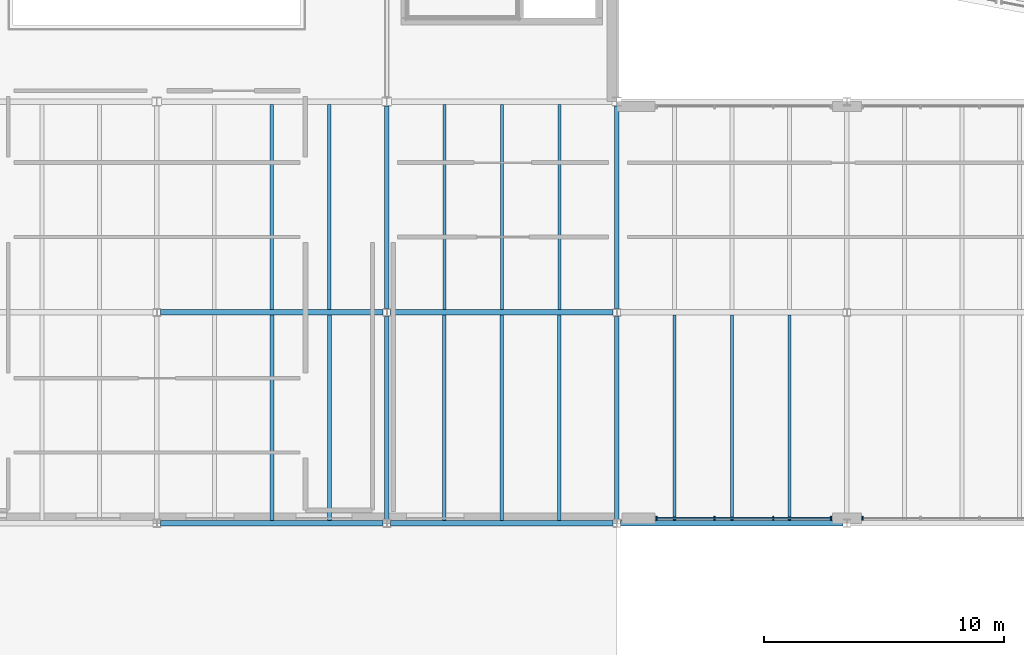
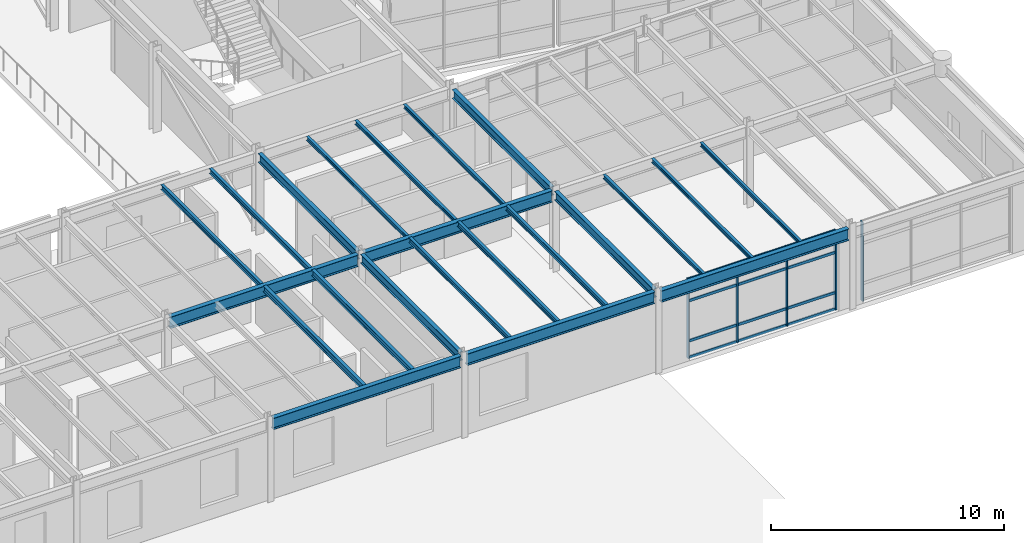
# One storey, part 27 of 88: 22 beams, 9 members, 2 elements without a shape of their own.
"""IFC4 building model written with IfcOpenShell, lengths in metres."""

from ifc_helpers import new_model, si_unit, direction, frame, origin, origin_2d, place, context, subcontext, project, spatial, rectangle, i_section, extrude, material, material_profile, profile_set, type_object, element, aggregate, save


model = new_model("IFC4")

# Units and contexts
model_context = context("Model", 3, precision=1e-05, world=origin(), true_north=direction((0.0, 1.0)))
body_context = subcontext(model_context, "Body", "Model", "MODEL_VIEW")
ifc_project = project(units=[si_unit("LENGTHUNIT", "METRE"), si_unit("AREAUNIT", "SQUARE_METRE"), si_unit("VOLUMEUNIT", "CUBIC_METRE"), si_unit("PLANEANGLEUNIT", "RADIAN"), si_unit("MASSUNIT", "GRAM", prefix="KILO")], contexts=[model_context])

# Site, building, storey
site_placement = place(None, origin())
site = spatial("IfcSite", under=ifc_project, at=site_placement, CompositionType="ELEMENT")
building_placement = place(site_placement, origin())
building = spatial("IfcBuilding", under=site, at=building_placement, Name="Sarnbrook Museum", CompositionType="ELEMENT")
storey_placement = place(building_placement, frame((0.0, 0.0, 10.10009765625)))
storey = spatial("IfcBuildingStorey", under=building, at=storey_placement, Name="L02", CompositionType="ELEMENT", Elevation=10.10009765625)

# Beams
ifc_material_1 = material(Name="Structural Steel Grade 300PLUS (AS/NZS 3679.1, fy = 280 MPa for 17 < t <= 40 mm, 300 MPa for t <= 17 mm)", Category="steel")
ifc_material_profile_1 = material_profile(ifc_material_1, i_section(OverallWidth=0.18994140625, OverallDepth=0.45703125, WebThickness=0.009033203125, FlangeThickness=0.014404296875, FilletRadius=0.011474609375, at=origin_2d()), Name="460UB74.6")
ifc_profile_set_1 = profile_set([ifc_material_profile_1], Name="Structural Steel Grade 300PLUS (AS/NZS 3679.1, fy = 280 MPa for 17 < t <= 40 mm, 300 MPa for t <= 17 mm)")
beam_type_1 = type_object("IfcBeamType", Name="BM-UB460", PredefinedType="BEAM", material=ifc_profile_set_1)
beam_1_placement = place(storey_placement, frame((109.60009765625, 39.363525390625, 4.0615234375), z_axis=(0.0, 1.0, 0.0), x_axis=(-1.0, 0.0, 0.0)))
element("IfcBeam", 1, at=beam_1_placement, inside=storey, type_object=beam_type_1, Name="Girder 12:E-F L02", PredefinedType="BEAM", context=body_context, shape_type="SweptSolid", body=[
    extrude(i_section(OverallWidth=0.18994140625, OverallDepth=0.45703125, WebThickness=0.009033203125, FlangeThickness=0.014404296875, FilletRadius=0.011474609375, at=origin_2d()), origin(), (0.0, 0.0, 1.0), 8.472900390625),
])
beam_2_placement = place(storey_placement, frame((109.60009765625, 48.16357421875, 4.021484375), z_axis=(0.0, 1.0, 0.0), x_axis=(-1.0, 0.0, 0.0)))
element("IfcBeam", 2, at=beam_2_placement, inside=storey, type_object=beam_type_1, Name="Girder 12:F-G L02", PredefinedType="BEAM", context=body_context, shape_type="SweptSolid", body=[
    extrude(i_section(OverallWidth=0.18994140625, OverallDepth=0.45703125, WebThickness=0.009033203125, FlangeThickness=0.014404296875, FilletRadius=0.011474609375, at=origin_2d()), origin(), (0.0, 0.0, 1.0), 8.4453125),
])
beam_3_placement = place(storey_placement, frame((119.199951171875, 39.363525390625, 4.00146484375), z_axis=(0.0, 1.0, 0.0), x_axis=(-1.0, 0.0, 0.0)))
element("IfcBeam", 3, at=beam_3_placement, inside=storey, type_object=beam_type_1, Name="Girder 13:E-F L02", PredefinedType="BEAM", context=body_context, shape_type="SweptSolid", body=[
    extrude(i_section(OverallWidth=0.18994140625, OverallDepth=0.45703125, WebThickness=0.009033203125, FlangeThickness=0.014404296875, FilletRadius=0.011474609375, at=origin_2d()), origin(), (0.0, 0.0, 1.0), 8.472900390625),
])
beam_4_placement = place(storey_placement, frame((119.199951171875, 48.16357421875, 4.00146484375), z_axis=(0.0, 1.0, 0.0), x_axis=(-1.0, 0.0, 0.0)))
element("IfcBeam", 4, at=beam_4_placement, inside=storey, type_object=beam_type_1, Name="Girder 13:F-G L02", PredefinedType="BEAM", context=body_context, shape_type="SweptSolid", body=[
    extrude(i_section(OverallWidth=0.18994140625, OverallDepth=0.45703125, WebThickness=0.009033203125, FlangeThickness=0.014404296875, FilletRadius=0.011474609375, at=origin_2d()), origin(), (0.0, 0.0, 1.0), 8.4453125),
])
ifc_material_profile_2 = material_profile(ifc_material_1, i_section(OverallWidth=0.22802734375, OverallDepth=0.60693359375, WebThickness=0.01123046875, FlangeThickness=0.017333984375, FilletRadius=0.013916015625, at=origin_2d()), Name="610UB113")
ifc_profile_set_2 = profile_set([ifc_material_profile_2], Name="Structural Steel Grade 300PLUS (AS/NZS 3679.1, fy = 280 MPa for 17 < t <= 40 mm, 300 MPa for t <= 17 mm)")
beam_type_2 = type_object("IfcBeamType", Name="BM-UB610", PredefinedType="BEAM", material=ifc_profile_set_2)
beam_5_placement = place(storey_placement, frame((100.155517578125, 39.199951171875, 3.986328125), z_axis=(1.0, 0.0, 0.0), x_axis=(0.0, 1.0, 0.0)))
element("IfcBeam", 5, at=beam_5_placement, inside=storey, type_object=beam_type_2, Name="Girder E:11-12 L02", PredefinedType="BEAM", context=body_context, shape_type="SweptSolid", body=[
    extrude(i_section(OverallWidth=0.22802734375, OverallDepth=0.60693359375, WebThickness=0.01123046875, FlangeThickness=0.017333984375, FilletRadius=0.013916015625, at=origin_2d()), origin(), (0.0, 0.0, 1.0), 9.2890625),
])
beam_6_placement = place(storey_placement, frame((109.755615234375, 39.199951171875, 3.986328125), z_axis=(1.0, 0.0, 0.0), x_axis=(0.0, 1.0, 0.0)))
element("IfcBeam", 6, at=beam_6_placement, inside=storey, type_object=beam_type_2, Name="Girder E:12-13 L02", PredefinedType="BEAM", context=body_context, shape_type="SweptSolid", body=[
    extrude(i_section(OverallWidth=0.22802734375, OverallDepth=0.60693359375, WebThickness=0.01123046875, FlangeThickness=0.017333984375, FilletRadius=0.013916015625, at=origin_2d()), origin(), (0.0, 0.0, 1.0), 9.288818359375),
])
for number, where, z_axis, x_axis, name in (
    (7, (119.35546875, 39.199951171875, 3.926513671875), (1.0, 0.0, 0.0), (0.0, 1.0, 0.0), "Girder E:13-14 L02"),
    (8, (100.155517578125, 48.0, 3.9462890625), (1.0, 0.0, 0.0), (0.0, 1.0, 0.0), "Girder F:11-12 L02"),
):
    element("IfcBeam", number, at=place(storey_placement, frame(where, z_axis=z_axis, x_axis=x_axis)), inside=storey, type_object=beam_type_2, Name=name, PredefinedType="BEAM", context=body_context, shape_type="SweptSolid", body=[
        extrude(i_section(OverallWidth=0.22802734375, OverallDepth=0.60693359375, WebThickness=0.01123046875, FlangeThickness=0.017333984375, FilletRadius=0.013916015625, at=origin_2d()), origin(), (0.0, 0.0, 1.0), 9.2890625),
    ])
beam_7_placement = place(storey_placement, frame((109.755615234375, 48.0, 3.9462890625), z_axis=(1.0, 0.0, 0.0), x_axis=(0.0, 1.0, 0.0)))
element("IfcBeam", 9, at=beam_7_placement, inside=storey, type_object=beam_type_2, Name="Girder F:12-13 L02", PredefinedType="BEAM", context=body_context, shape_type="SweptSolid", body=[
    extrude(i_section(OverallWidth=0.22802734375, OverallDepth=0.60693359375, WebThickness=0.01123046875, FlangeThickness=0.017333984375, FilletRadius=0.013916015625, at=origin_2d()), origin(), (0.0, 0.0, 1.0), 9.288818359375),
])

# Curtain wall, members
ifc_material_2 = material(Name="Thermally Broken Anodised Aluminium 6063-T6", Category="aluminium")
curtain_wall_type = type_object("IfcCurtainWallType", Name="CurtainWall_GalleryRibbon", PredefinedType="NOTDEFINED", material=ifc_material_2)
curtain_wall_1_placement = place(storey_placement, origin())
curtain_wall_1 = element("IfcCurtainWall", 10, at=curtain_wall_1_placement, inside=storey, type_object=curtain_wall_type, Name="Gallery Ribbon Curtain Wall L02-16.1", PredefinedType="NOTDEFINED")
ifc_material_profile_3 = material_profile(ifc_material_2, rectangle(XDim=0.06005859375, YDim=0.159912109375, at=origin_2d()), Name="ALU MULLION 60x160")
ifc_profile_set_3 = profile_set([ifc_material_profile_3], Name="Thermally Broken Anodised Aluminium 6063-T6")
member_type_1 = type_object("IfcMemberType", Name="CW_Mullion_150x65", PredefinedType="MULLION", material=ifc_profile_set_3)
member_1_placement = place(storey_placement, frame((120.860107421875, 39.409912109375, 0.0), z_axis=(0.0, 0.0, 1.0), x_axis=(1.0, 0.0, 0.0)))
member_1 = element("IfcMember", 11, at=member_1_placement, type_object=member_type_1, Name="Gallery Ribbon Curtain Wall L02-16.1 Mullion 1", PredefinedType="MULLION", context=body_context, shape_type="SweptSolid", body=[
    extrude(rectangle(XDim=0.06005859375, YDim=0.159912109375, at=origin_2d()), origin(), (0.0, 0.0, 1.0), 4.159912109375),
])
member_2_placement = place(storey_placement, frame((123.273193359375, 39.409912109375, 0.0), z_axis=(0.0, 0.0, 1.0), x_axis=(1.0, 0.0, 0.0)))
member_2 = element("IfcMember", 12, at=member_2_placement, type_object=member_type_1, Name="Gallery Ribbon Curtain Wall L02-16.1 Mullion 2", PredefinedType="MULLION", context=body_context, shape_type="SweptSolid", body=[
    extrude(rectangle(XDim=0.06005859375, YDim=0.159912109375, at=origin_2d()), origin(), (0.0, 0.0, 1.0), 4.159912109375),
])
member_3_placement = place(storey_placement, frame((125.726806640625, 39.409912109375, 0.0), z_axis=(0.0, 0.0, 1.0), x_axis=(1.0, 0.0, 0.0)))
member_3 = element("IfcMember", 13, at=member_3_placement, type_object=member_type_1, Name="Gallery Ribbon Curtain Wall L02-16.1 Mullion 3", PredefinedType="MULLION", context=body_context, shape_type="SweptSolid", body=[
    extrude(rectangle(XDim=0.06005859375, YDim=0.159912109375, at=origin_2d()), origin(), (0.0, 0.0, 1.0), 4.159912109375),
])
member_4_placement = place(storey_placement, frame((128.139892578125, 39.409912109375, 0.0), z_axis=(0.0, 0.0, 1.0), x_axis=(1.0, 0.0, 0.0)))
member_4 = element("IfcMember", 14, at=member_4_placement, type_object=member_type_1, Name="Gallery Ribbon Curtain Wall L02-16.1 Mullion 4", PredefinedType="MULLION", context=body_context, shape_type="SweptSolid", body=[
    extrude(rectangle(XDim=0.06005859375, YDim=0.159912109375, at=origin_2d()), origin(), (0.0, 0.0, 1.0), 4.159912109375),
])

# Curtain wall, member
curtain_wall_2_placement = place(storey_placement, origin())
curtain_wall_2 = element("IfcCurtainWall", 15, at=curtain_wall_2_placement, inside=storey, type_object=curtain_wall_type, Name="Gallery Ribbon Curtain Wall L02-16.2", PredefinedType="NOTDEFINED")
member_5_placement = place(storey_placement, frame((129.4599609375, 39.409912109375, 0.0), z_axis=(0.0, 0.0, 1.0), x_axis=(1.0, 0.0, 0.0)))
member_5 = element("IfcMember", 16, at=member_5_placement, type_object=member_type_1, Name="Gallery Ribbon Curtain Wall L02-16.2 Mullion 1", PredefinedType="MULLION", context=body_context, shape_type="SweptSolid", body=[
    extrude(rectangle(XDim=0.06005859375, YDim=0.159912109375, at=origin_2d()), origin(), (0.0, 0.0, 1.0), 4.159912109375),
])
aggregate(curtain_wall_2, [member_5])

# Member
ifc_material_profile_4 = material_profile(ifc_material_2, rectangle(XDim=0.06494140625, YDim=0.139892578125, at=origin_2d()), Name="ALU TRANSOM 65x140")
ifc_profile_set_4 = profile_set([ifc_material_profile_4], Name="Thermally Broken Anodised Aluminium 6063-T6")
member_type_2 = type_object("IfcMemberType", Name="CW_Transom_150x65", PredefinedType="USERDEFINED", material=ifc_profile_set_4)
member_6_placement = place(storey_placement, frame((120.8701171875, 39.409912109375, 0.039794921875), z_axis=(1.0, 0.0, 0.0), x_axis=(0.0, 1.0, 0.0)))
member_6 = element("IfcMember", 17, at=member_6_placement, type_object=member_type_2, Name="Gallery Ribbon Curtain Wall L02-16.1 Transom 1", ObjectType="TRANSOM", PredefinedType="USERDEFINED", context=body_context, shape_type="SweptSolid", body=[
    extrude(rectangle(XDim=0.06494140625, YDim=0.139892578125, at=origin_2d()), origin(), (0.0, 0.0, 1.0), 7.259765625),
])

member_7_placement = place(storey_placement, frame((120.8701171875, 39.409912109375, 0.89990234375), z_axis=(1.0, 0.0, 0.0), x_axis=(0.0, 1.0, 0.0)))
member_7 = element("IfcMember", 18, at=member_7_placement, type_object=member_type_2, Name="Gallery Ribbon Curtain Wall L02-16.1 Transom 2", ObjectType="TRANSOM", PredefinedType="USERDEFINED", context=body_context, shape_type="SweptSolid", body=[
    extrude(rectangle(XDim=0.06494140625, YDim=0.139892578125, at=origin_2d()), origin(), (0.0, 0.0, 1.0), 7.259765625),
])

member_8_placement = place(storey_placement, frame((120.8701171875, 39.409912109375, 3.0), z_axis=(1.0, 0.0, 0.0), x_axis=(0.0, 1.0, 0.0)))
member_8 = element("IfcMember", 19, at=member_8_placement, type_object=member_type_2, Name="Gallery Ribbon Curtain Wall L02-16.1 Transom 3", ObjectType="TRANSOM", PredefinedType="USERDEFINED", context=body_context, shape_type="SweptSolid", body=[
    extrude(rectangle(XDim=0.06494140625, YDim=0.139892578125, at=origin_2d()), origin(), (0.0, 0.0, 1.0), 7.259765625),
])

member_9_placement = place(storey_placement, frame((120.8701171875, 39.409912109375, 4.119873046875), z_axis=(1.0, 0.0, 0.0), x_axis=(0.0, 1.0, 0.0)))
member_9 = element("IfcMember", 20, at=member_9_placement, type_object=member_type_2, Name="Gallery Ribbon Curtain Wall L02-16.1 Transom 4", ObjectType="TRANSOM", PredefinedType="USERDEFINED", context=body_context, shape_type="SweptSolid", body=[
    extrude(rectangle(XDim=0.06494140625, YDim=0.139892578125, at=origin_2d()), origin(), (0.0, 0.0, 1.0), 7.259765625),
])

aggregate(curtain_wall_1, [member_1, member_2, member_3, member_4, member_6, member_7, member_8, member_9])

# Beams
ifc_material_profile_5 = material_profile(ifc_material_1, i_section(OverallWidth=0.134033203125, OverallDepth=0.20703125, WebThickness=0.00634765625, FlangeThickness=0.009521484375, FilletRadius=0.0087890625, at=origin_2d()), Name="200UB29.8")
ifc_profile_set_5 = profile_set([ifc_material_profile_5], Name="Structural Steel Grade 300PLUS (AS/NZS 3679.1, fy = 280 MPa for 17 < t <= 40 mm, 300 MPa for t <= 17 mm)")
beam_type_3 = type_object("IfcBeamType", Name="JS-UB200", PredefinedType="JOIST", material=ifc_profile_set_5)
for number, where, z_axis, x_axis, name in (
    (21, (112.0, 48.114013671875, 4.146484375), (0.0, 1.0, 0.0), (-1.0, 0.0, 0.0), "Composite Floor Joist 12F-1 L02"),
    (22, (114.39990234375, 48.114013671875, 4.146484375), (0.0, 1.0, 0.0), (-1.0, 0.0, 0.0), "Composite Floor Joist 12F-2 L02"),
    (23, (116.800048828125, 48.114013671875, 4.146484375), (0.0, 1.0, 0.0), (-1.0, 0.0, 0.0), "Composite Floor Joist 12F-3 L02"),
    (24, (121.60009765625, 39.31396484375, 4.12646484375), (0.0, 1.0, 0.0), (-1.0, 0.0, 0.0), "Composite Floor Joist 13E-1 L02"),
    (25, (124.0, 39.31396484375, 4.12646484375), (0.0, 1.0, 0.0), (-1.0, 0.0, 0.0), "Composite Floor Joist 13E-2 L02"),
    (26, (126.39990234375, 39.31396484375, 4.12646484375), (0.0, 1.0, 0.0), (-1.0, 0.0, 0.0), "Composite Floor Joist 13E-3 L02"),
):
    element("IfcBeam", number, at=place(storey_placement, frame(where, z_axis=z_axis, x_axis=x_axis)), inside=storey, type_object=beam_type_3, Name=name, PredefinedType="JOIST", context=body_context, shape_type="SweptSolid", body=[
        extrude(i_section(OverallWidth=0.134033203125, OverallDepth=0.20703125, WebThickness=0.00634765625, FlangeThickness=0.009521484375, FilletRadius=0.0087890625, at=origin_2d()), origin(), (0.0, 0.0, 1.0), 8.572021484375),
    ])
ifc_material_profile_6 = material_profile(ifc_material_1, i_section(OverallWidth=0.14599609375, OverallDepth=0.256103515625, WebThickness=0.00634765625, FlangeThickness=0.010986328125, FilletRadius=0.0087890625, at=origin_2d()), Name="250UB37.3")
ifc_profile_set_6 = profile_set([ifc_material_profile_6], Name="Structural Steel Grade 300PLUS (AS/NZS 3679.1, fy = 280 MPa for 17 < t <= 40 mm, 300 MPa for t <= 17 mm)")
beam_type_4 = type_object("IfcBeamType", Name="JS-UB250", PredefinedType="JOIST", material=ifc_profile_set_6)
for number, where, z_axis, x_axis, name in (
    (27, (104.800048828125, 48.114013671875, 4.121826171875), (0.0, 1.0, 0.0), (-1.0, 0.0, 0.0), "Composite Floor Joist 11F-2 L02"),
    (28, (107.199951171875, 48.114013671875, 4.121826171875), (0.0, 1.0, 0.0), (-1.0, 0.0, 0.0), "Composite Floor Joist 11F-3 L02"),
    (29, (112.0, 39.31396484375, 4.161865234375), (0.0, 1.0, 0.0), (-1.0, 0.0, 0.0), "Composite Floor Joist 12E-1 L02"),
    (30, (114.39990234375, 39.31396484375, 4.161865234375), (0.0, 1.0, 0.0), (-1.0, 0.0, 0.0), "Composite Floor Joist 12E-2 L02"),
    (31, (116.800048828125, 39.31396484375, 4.161865234375), (0.0, 1.0, 0.0), (-1.0, 0.0, 0.0), "Composite Floor Joist 12E-3 L02"),
):
    element("IfcBeam", number, at=place(storey_placement, frame(where, z_axis=z_axis, x_axis=x_axis)), inside=storey, type_object=beam_type_4, Name=name, PredefinedType="JOIST", context=body_context, shape_type="SweptSolid", body=[
        extrude(i_section(OverallWidth=0.14599609375, OverallDepth=0.256103515625, WebThickness=0.00634765625, FlangeThickness=0.010986328125, FilletRadius=0.0087890625, at=origin_2d()), origin(), (0.0, 0.0, 1.0), 8.572021484375),
    ])
ifc_material_profile_7 = material_profile(ifc_material_1, i_section(OverallWidth=0.1650390625, OverallDepth=0.303955078125, WebThickness=0.006103515625, FlangeThickness=0.01025390625, FilletRadius=0.011474609375, at=origin_2d()), Name="310UB40.4")
ifc_profile_set_7 = profile_set([ifc_material_profile_7], Name="Structural Steel Grade 300PLUS (AS/NZS 3679.1, fy = 280 MPa for 17 < t <= 40 mm, 300 MPa for t <= 17 mm)")
beam_type_5 = type_object("IfcBeamType", Name="JS-UB310", PredefinedType="JOIST", material=ifc_profile_set_7)
for number, where, z_axis, x_axis, name in (
    (32, (104.800048828125, 39.31396484375, 4.137939453125), (0.0, 1.0, 0.0), (-1.0, 0.0, 0.0), "Composite Floor Joist 11E-2 L02"),
    (33, (107.199951171875, 39.31396484375, 4.137939453125), (0.0, 1.0, 0.0), (-1.0, 0.0, 0.0), "Composite Floor Joist 11E-3 L02"),
):
    element("IfcBeam", number, at=place(storey_placement, frame(where, z_axis=z_axis, x_axis=x_axis)), inside=storey, type_object=beam_type_5, Name=name, PredefinedType="JOIST", context=body_context, shape_type="SweptSolid", body=[
        extrude(i_section(OverallWidth=0.1650390625, OverallDepth=0.303955078125, WebThickness=0.006103515625, FlangeThickness=0.01025390625, FilletRadius=0.011474609375, at=origin_2d()), origin(), (0.0, 0.0, 1.0), 8.572021484375),
    ])

save(model, "model.ifc")
